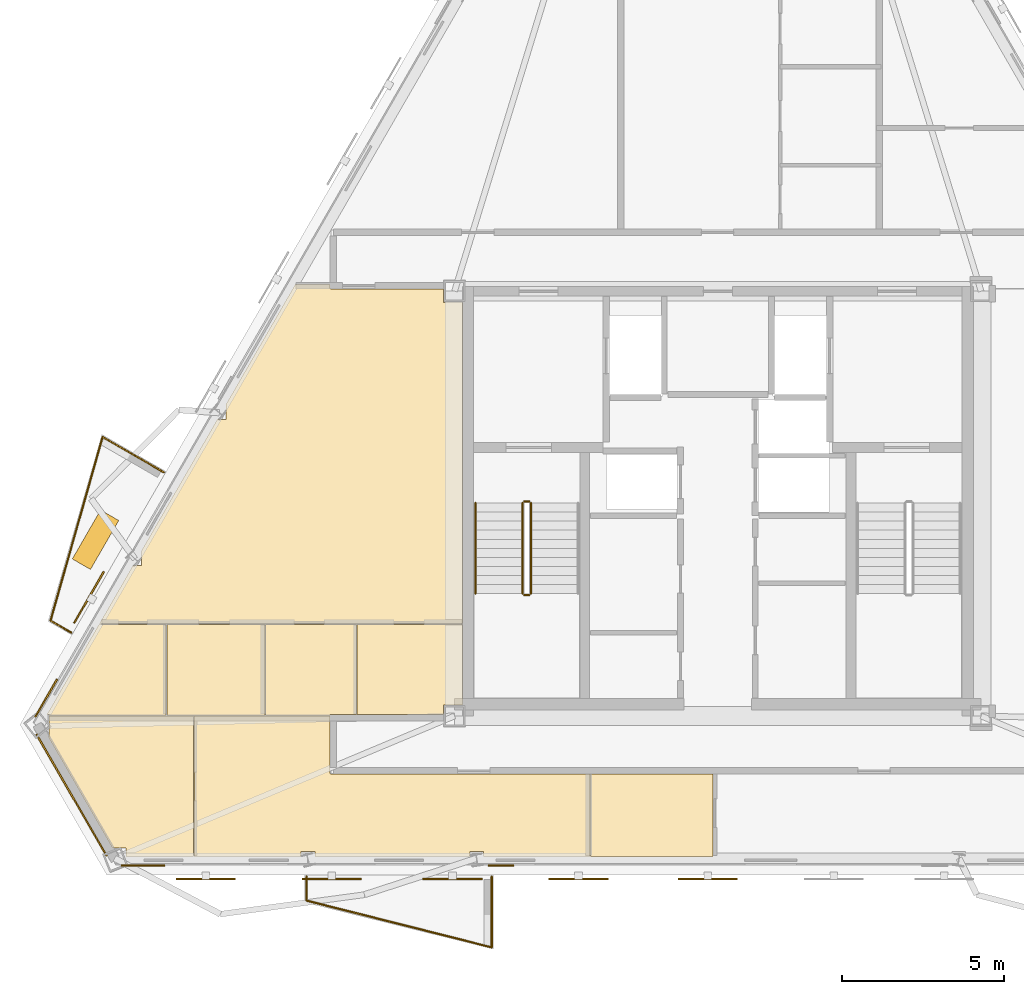
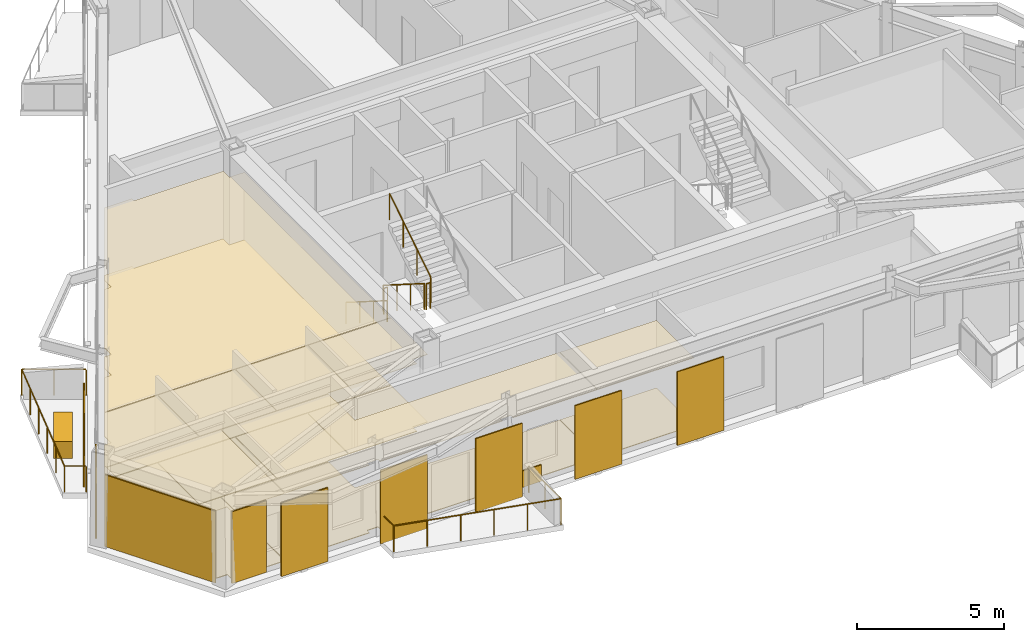
# One storey, part 7 of 9: 21 coverings, 11 railings, 6 shading devices.
"""IFC4 building model written with IfcOpenShell, lengths in metres."""

from ifc_helpers import new_model, si_unit, direction, frame, origin, origin_2d, place, context, subcontext, project, spatial, polyline, rectangle, circle, outline, extrude, material, layer, layer_set, type_object, element, save


model = new_model("IFC4")

# Units and contexts
model_context = context("Model", 3, precision=1e-05, world=origin(), true_north=direction((0.0, 1.0)))
body_context = subcontext(model_context, "Body", "Model", "MODEL_VIEW")
ifc_project = project(units=[si_unit("LENGTHUNIT", "METRE"), si_unit("AREAUNIT", "SQUARE_METRE"), si_unit("VOLUMEUNIT", "CUBIC_METRE"), si_unit("PLANEANGLEUNIT", "RADIAN"), si_unit("MASSUNIT", "GRAM", prefix="KILO")], contexts=[model_context])

# Site, building, storey
site_placement = place(None, origin())
site = spatial("IfcSite", under=ifc_project, at=site_placement, CompositionType="ELEMENT")
building_placement = place(site_placement, origin())
building = spatial("IfcBuilding", under=site, at=building_placement, Name="Oramaril Tower", CompositionType="ELEMENT")
storey_placement = place(building_placement, frame((0.0, 0.0, 269.39990234375)))
storey = spatial("IfcBuildingStorey", under=building, at=storey_placement, Name="L71", CompositionType="ELEMENT", Elevation=269.39990234375)

# Coverings
ifc_material_1 = material(Name="Mineral Fibre Acoustic Ceiling")
ifc_layer_1 = layer(ifc_material_1, 0.02001953125)
ifc_layer_set_1 = layer_set([ifc_layer_1], Name="CVT-CEIL")
covering_type_1 = type_object("IfcCoveringType", Name="CVT-CEIL", PredefinedType="CEILING", material=ifc_layer_set_1)
covering_1_placement = place(storey_placement, frame((0.0, 0.0, 2.81201171875)))
element("IfcCovering", 1, at=covering_1_placement, inside=storey, type_object=covering_type_1, Name="L71 Acoustic Suspended Ceiling 4", PredefinedType="CEILING", context=body_context, shape_type="SweptSolid", body=[
    extrude(outline(polyline([(33.5419921875, 6.642578125), (30.247314453125, 6.642578125), (30.247314453125, 6.800537109375), (29.824951171875, 6.800537109375), (29.824951171875, 6.642578125), (25.02587890625, 6.642578125), (25.02587890625, 6.800537109375), (24.596923828125, 6.800537109375), (24.596923828125, 6.642578125), (21.291015625, 6.642578125), (21.291015625, 10.991943359375), (25.5, 10.991943359375), (25.5, 9.219970703125), (25.5, 9.218017578125), (25.50048828125, 9.216064453125), (25.5009765625, 9.214111328125), (25.50146484375, 9.21240234375), (25.50244140625, 9.210693359375), (25.50341796875, 9.208984375), (25.50439453125, 9.207275390625), (25.505859375, 9.205810546875), (25.50732421875, 9.20458984375), (25.5087890625, 9.203369140625), (25.510498046875, 9.202392578125), (25.51220703125, 9.201416015625), (25.51416015625, 9.200927734375), (25.51611328125, 9.200439453125), (25.51806640625, 9.2001953125), (25.52001953125, 9.199951171875), (33.5419921875, 9.199951171875), (33.5419921875, 6.642578125)])), origin(), (0.0, 0.0, 1.0), 0.02001953125),
])
covering_2_placement = place(storey_placement, frame((0.0, 0.0, 2.81201171875)))
element("IfcCovering", 2, at=covering_2_placement, inside=storey, type_object=covering_type_1, Name="L71 Acoustic Suspended Ceiling 5", PredefinedType="CEILING", context=body_context, shape_type="SweptSolid", body=[
    extrude(outline(polyline([(19.172119140625, 6.642578125), (19.172119140625, 6.9140625), (18.7578125, 6.9140625), (16.7666015625, 10.363037109375), (16.787841796875, 10.363037109375), (16.787841796875, 10.991943359375), (21.27099609375, 10.991943359375), (21.27099609375, 6.642578125), (19.172119140625, 6.642578125)])), origin(), (0.0, 0.0, 1.0), 0.02001953125),
])
covering_3_placement = place(storey_placement, frame((0.0, 0.0, 2.81201171875)))
element("IfcCovering", 3, at=covering_3_placement, inside=storey, type_object=covering_type_1, Name="L71 Acoustic Suspended Ceiling 7", PredefinedType="CEILING", context=body_context, shape_type="SweptSolid", body=[
    extrude(outline(polyline([(33.56201171875, 6.642578125), (33.56201171875, 9.199951171875), (37.343994140625, 9.199951171875), (37.343994140625, 6.642578125), (33.56201171875, 6.642578125)])), origin(), (0.0, 0.0, 1.0), 0.02001953125),
])
covering_4_placement = place(storey_placement, frame((0.0, 0.0, 2.81201171875)))
element("IfcCovering", 4, at=covering_4_placement, inside=storey, type_object=covering_type_1, Name="L71 Acoustic Suspended Ceiling 8", PredefinedType="CEILING", context=body_context, shape_type="SweptSolid", body=[
    extrude(outline(polyline([(19.39208984375, 15.65087890625), (19.661865234375, 15.65087890625), (19.661865234375, 16.107421875), (19.65576171875, 16.107421875), (22.006103515625, 20.178466796875), (22.27587890625, 20.178466796875), (22.27587890625, 20.62939453125), (22.266357421875, 20.62939453125), (24.42138671875, 24.362060546875), (25.5, 24.362060546875), (25.5, 24.239990234375), (25.5, 24.238037109375), (25.50048828125, 24.236083984375), (25.5009765625, 24.234130859375), (25.50146484375, 24.232421875), (25.50244140625, 24.230712890625), (25.50341796875, 24.22900390625), (25.50439453125, 24.227294921875), (25.505859375, 24.225830078125), (25.50732421875, 24.224609375), (25.5087890625, 24.223388671875), (25.510498046875, 24.222412109375), (25.51220703125, 24.221435546875), (25.51416015625, 24.220947265625), (25.51611328125, 24.220458984375), (25.51806640625, 24.22021484375), (25.52001953125, 24.219970703125), (29.0048828125, 24.219970703125), (29.0048828125, 23.804931640625), (29.60009765625, 23.804931640625), (29.60009765625, 13.85791015625), (18.35693359375, 13.85791015625), (19.39208984375, 15.65087890625)])), origin(), (0.0, 0.0, 1.0), 0.02001953125),
])
covering_5_placement = place(storey_placement, frame((0.0, 0.0, 2.81201171875)))
element("IfcCovering", 5, at=covering_5_placement, inside=storey, type_object=covering_type_1, Name="L71 Acoustic Suspended Ceiling 9", PredefinedType="CEILING", context=body_context, shape_type="SweptSolid", body=[
    extrude(outline(polyline([(20.423828125, 11.011962890625), (16.787841796875, 11.011962890625), (16.787841796875, 11.052978515625), (16.737548828125, 11.052978515625), (18.34716796875, 13.8408203125), (18.347412109375, 13.84033203125), (18.349365234375, 13.839599609375), (18.35107421875, 13.8388671875), (18.35302734375, 13.83837890625), (18.35498046875, 13.838134765625), (18.35693359375, 13.837890625), (20.423828125, 13.837890625), (20.423828125, 11.011962890625)])), origin(), (0.0, 0.0, 1.0), 0.02001953125),
])
covering_6_placement = place(storey_placement, frame((0.0, 0.0, 2.81201171875)))
element("IfcCovering", 6, at=covering_6_placement, inside=storey, type_object=covering_type_1, Name="L71 Acoustic Suspended Ceiling 10", PredefinedType="CEILING", context=body_context, shape_type="SweptSolid", body=[
    extrude(outline(polyline([(23.473876953125, 11.011962890625), (21.291015625, 11.011962890625), (21.2890625, 11.011962890625), (21.287109375, 11.01171875), (21.28515625, 11.010986328125), (21.283203125, 11.010498046875), (21.281494140625, 11.009521484375), (21.281005859375, 11.00927734375), (21.280517578125, 11.009521484375), (21.27880859375, 11.010498046875), (21.27685546875, 11.010986328125), (21.27490234375, 11.01171875), (21.27294921875, 11.011962890625), (21.27099609375, 11.011962890625), (20.44384765625, 11.011962890625), (20.44384765625, 13.837890625), (23.473876953125, 13.837890625), (23.473876953125, 11.011962890625)])), origin(), (0.0, 0.0, 1.0), 0.02001953125),
])
covering_7_placement = place(storey_placement, frame((0.0, 0.0, 2.81201171875)))
element("IfcCovering", 7, at=covering_7_placement, inside=storey, type_object=covering_type_1, Name="L71 Acoustic Suspended Ceiling 11", PredefinedType="CEILING", context=body_context, shape_type="SweptSolid", body=[
    extrude(outline(polyline([(26.31591796875, 11.050048828125), (25.52001953125, 11.050048828125), (25.51806640625, 11.0498046875), (25.51611328125, 11.049560546875), (25.51416015625, 11.049072265625), (25.51220703125, 11.048583984375), (25.510498046875, 11.047607421875), (25.5087890625, 11.046630859375), (25.50732421875, 11.04541015625), (25.505859375, 11.044189453125), (25.50439453125, 11.042724609375), (25.50341796875, 11.041015625), (25.50244140625, 11.039306640625), (25.50146484375, 11.03759765625), (25.5009765625, 11.035888671875), (25.50048828125, 11.033935546875), (25.5, 11.031982421875), (25.5, 11.030029296875), (25.5, 11.011962890625), (23.493896484375, 11.011962890625), (23.493896484375, 13.837890625), (26.31591796875, 13.837890625), (26.31591796875, 11.050048828125)])), origin(), (0.0, 0.0, 1.0), 0.02001953125),
])
covering_8_placement = place(storey_placement, frame((0.0, 0.0, 2.81201171875)))
element("IfcCovering", 8, at=covering_8_placement, inside=storey, type_object=covering_type_1, Name="L71 Acoustic Suspended Ceiling 12", PredefinedType="CEILING", context=body_context, shape_type="SweptSolid", body=[
    extrude(outline(polyline([(29.60009765625, 11.344970703125), (29.0048828125, 11.344970703125), (29.0048828125, 11.050048828125), (26.335693359375, 11.050048828125), (26.335693359375, 13.837890625), (29.60009765625, 13.837890625), (29.60009765625, 11.344970703125)])), origin(), (0.0, 0.0, 1.0), 0.02001953125),
])
ifc_material_2 = material(Name="Warm Cream Limestone", Category="masonry")
ifc_layer_2 = layer(ifc_material_2, 0.050048828125)
ifc_layer_set_2 = layer_set([ifc_layer_2], Name="CVT-CLD")
covering_type_2 = type_object("IfcCoveringType", Name="CVT-CLD", PredefinedType="CLADDING", material=ifc_layer_set_2)
covering_9_placement = place(storey_placement, frame((17.49462890625, 8.5498046875, 0.0400390625), z_axis=(0.0, 0.0, 1.0), x_axis=(0.499992442484, -0.866029767075, 0.0)))
element("IfcCovering", 9, at=covering_9_placement, inside=storey, type_object=covering_type_2, Name="L71 Warm Cream Limestone Cladding", PredefinedType="CLADDING", context=body_context, shape_type="SweptSolid", body=[
    extrude(rectangle(XDim=4.347900390625, YDim=0.050048828125, at=origin_2d()), origin(), (0.0, 0.0, 1.0), 2.97802734375),
])
covering_10_placement = place(storey_placement, frame((19.7021484375, 6.36669921875, 0.0400390625), z_axis=(0.0, 0.0, 1.0), x_axis=(1.0, 0.0, 0.0)))
element("IfcCovering", 10, at=covering_10_placement, inside=storey, type_object=covering_type_2, Name="L71 Warm Cream Limestone Cladding", PredefinedType="CLADDING", context=body_context, shape_type="SweptSolid", body=[
    extrude(rectangle(XDim=1.35009765625, YDim=0.050048828125, at=origin_2d()), origin(), (0.0, 0.0, 1.0), 2.97802734375),
])
covering_11_placement = place(storey_placement, frame((30.786865234375, 6.36669921875, 0.0400390625), z_axis=(0.0, 0.0, 1.0), x_axis=(1.0, 0.0, 0.0)))
element("IfcCovering", 11, at=covering_11_placement, inside=storey, type_object=covering_type_2, Name="L71 Warm Cream Limestone Spandrel Cladding", PredefinedType="CLADDING", context=body_context, shape_type="SweptSolid", body=[
    extrude(rectangle(XDim=0.800048828125, YDim=0.050048828125, at=origin_2d()), origin(), (0.0, 0.0, 1.0), 0.679931640625),
])
covering_12_placement = place(storey_placement, frame((16.707763671875, 11.55322265625, 0.0400390625), z_axis=(0.0, 0.0, 1.0), x_axis=(-0.5, -0.866025403784, 0.0)))
element("IfcCovering", 12, at=covering_12_placement, inside=storey, type_object=covering_type_2, Name="L71 Warm Cream Limestone Cladding", PredefinedType="CLADDING", context=body_context, shape_type="SweptSolid", body=[
    extrude(rectangle(XDim=1.35009765625, YDim=0.050048828125, at=origin_2d()), origin(), (0.0, 0.0, 1.0), 2.97802734375),
])
covering_13_placement = place(storey_placement, frame((18.235107421875, 16.455810546875, 0.0), z_axis=(0.0, 0.0, 1.0), x_axis=(-0.5, -0.866025403784, 0.0)))
element("IfcCovering", 13, at=covering_13_placement, inside=storey, type_object=covering_type_2, Name="L71 Structural Tree Planter Box L71-BAL-NW2", PredefinedType="CLADDING", context=body_context, shape_type="SweptSolid", body=[
    extrude(rectangle(XDim=1.75, YDim=0.64990234375, at=origin_2d()), origin(), (0.0, 0.0, 1.0), 0.699951171875),
])
ifc_material_3 = material(Name="Honed Quartzite Stone Flooring", Category="masonry")
ifc_layer_3 = layer(ifc_material_3, 0.02490234375)
ifc_layer_set_3 = layer_set([ifc_layer_3], Name="CVT-FLR")
covering_type_3 = type_object("IfcCoveringType", Name="CVT-FLR", PredefinedType="FLOORING", material=ifc_layer_set_3)
covering_14_placement = place(storey_placement, origin())
element("IfcCovering", 14, at=covering_14_placement, inside=storey, type_object=covering_type_3, Name="L71 Honed Stone Floor Finish 4", PredefinedType="FLOORING", context=body_context, shape_type="SweptSolid", body=[
    extrude(outline(polyline([(33.5419921875, 6.642578125), (30.247314453125, 6.642578125), (30.247314453125, 6.800537109375), (29.824951171875, 6.800537109375), (29.824951171875, 6.642578125), (25.02587890625, 6.642578125), (25.02587890625, 6.800537109375), (24.596923828125, 6.800537109375), (24.596923828125, 6.642578125), (21.291015625, 6.642578125), (21.291015625, 10.991943359375), (25.5, 10.991943359375), (25.5, 9.219970703125), (25.5, 9.218017578125), (25.50048828125, 9.216064453125), (25.5009765625, 9.214111328125), (25.50146484375, 9.21240234375), (25.50244140625, 9.210693359375), (25.50341796875, 9.208984375), (25.50439453125, 9.207275390625), (25.505859375, 9.205810546875), (25.50732421875, 9.20458984375), (25.5087890625, 9.203369140625), (25.510498046875, 9.202392578125), (25.51220703125, 9.201416015625), (25.51416015625, 9.200927734375), (25.51611328125, 9.200439453125), (25.51806640625, 9.2001953125), (25.52001953125, 9.199951171875), (33.5419921875, 9.199951171875), (33.5419921875, 6.642578125)])), origin(), (0.0, 0.0, 1.0), 0.025146484375),
])
covering_15_placement = place(storey_placement, origin())
element("IfcCovering", 15, at=covering_15_placement, inside=storey, type_object=covering_type_3, Name="L71 Honed Stone Floor Finish 5", PredefinedType="FLOORING", context=body_context, shape_type="SweptSolid", body=[
    extrude(outline(polyline([(19.172119140625, 6.642578125), (19.172119140625, 6.9140625), (18.7578125, 6.9140625), (16.7666015625, 10.363037109375), (16.787841796875, 10.363037109375), (16.787841796875, 10.991943359375), (21.27099609375, 10.991943359375), (21.27099609375, 6.642578125), (19.172119140625, 6.642578125)])), origin(), (0.0, 0.0, 1.0), 0.025146484375),
])
covering_16_placement = place(storey_placement, origin())
element("IfcCovering", 16, at=covering_16_placement, inside=storey, type_object=covering_type_3, Name="L71 Honed Stone Floor Finish 7", PredefinedType="FLOORING", context=body_context, shape_type="SweptSolid", body=[
    extrude(outline(polyline([(33.56201171875, 6.642578125), (33.56201171875, 9.199951171875), (37.343994140625, 9.199951171875), (37.343994140625, 6.642578125), (33.56201171875, 6.642578125)])), origin(), (0.0, 0.0, 1.0), 0.025146484375),
])
covering_17_placement = place(storey_placement, origin())
element("IfcCovering", 17, at=covering_17_placement, inside=storey, type_object=covering_type_3, Name="L71 Honed Stone Floor Finish 8", PredefinedType="FLOORING", context=body_context, shape_type="SweptSolid", body=[
    extrude(outline(polyline([(19.39208984375, 15.65087890625), (19.661865234375, 15.65087890625), (19.661865234375, 16.107421875), (19.65576171875, 16.107421875), (22.006103515625, 20.178466796875), (22.27587890625, 20.178466796875), (22.27587890625, 20.62939453125), (22.266357421875, 20.62939453125), (24.42138671875, 24.362060546875), (25.5, 24.362060546875), (25.5, 24.239990234375), (25.5, 24.238037109375), (25.50048828125, 24.236083984375), (25.5009765625, 24.234130859375), (25.50146484375, 24.232421875), (25.50244140625, 24.230712890625), (25.50341796875, 24.22900390625), (25.50439453125, 24.227294921875), (25.505859375, 24.225830078125), (25.50732421875, 24.224609375), (25.5087890625, 24.223388671875), (25.510498046875, 24.222412109375), (25.51220703125, 24.221435546875), (25.51416015625, 24.220947265625), (25.51611328125, 24.220458984375), (25.51806640625, 24.22021484375), (25.52001953125, 24.219970703125), (29.0048828125, 24.219970703125), (29.0048828125, 23.804931640625), (29.60009765625, 23.804931640625), (29.60009765625, 13.85791015625), (18.35693359375, 13.85791015625), (19.39208984375, 15.65087890625)])), origin(), (0.0, 0.0, 1.0), 0.025146484375),
])
covering_18_placement = place(storey_placement, origin())
element("IfcCovering", 18, at=covering_18_placement, inside=storey, type_object=covering_type_3, Name="L71 Honed Stone Floor Finish 9", PredefinedType="FLOORING", context=body_context, shape_type="SweptSolid", body=[
    extrude(outline(polyline([(20.423828125, 11.011962890625), (16.787841796875, 11.011962890625), (16.787841796875, 11.052978515625), (16.737548828125, 11.052978515625), (18.34716796875, 13.8408203125), (18.347412109375, 13.84033203125), (18.349365234375, 13.839599609375), (18.35107421875, 13.8388671875), (18.35302734375, 13.83837890625), (18.35498046875, 13.838134765625), (18.35693359375, 13.837890625), (20.423828125, 13.837890625), (20.423828125, 11.011962890625)])), origin(), (0.0, 0.0, 1.0), 0.025146484375),
])
covering_19_placement = place(storey_placement, origin())
element("IfcCovering", 19, at=covering_19_placement, inside=storey, type_object=covering_type_3, Name="L71 Honed Stone Floor Finish 10", PredefinedType="FLOORING", context=body_context, shape_type="SweptSolid", body=[
    extrude(outline(polyline([(23.473876953125, 11.011962890625), (21.291015625, 11.011962890625), (21.2890625, 11.011962890625), (21.287109375, 11.01171875), (21.28515625, 11.010986328125), (21.283203125, 11.010498046875), (21.281494140625, 11.009521484375), (21.281005859375, 11.00927734375), (21.280517578125, 11.009521484375), (21.27880859375, 11.010498046875), (21.27685546875, 11.010986328125), (21.27490234375, 11.01171875), (21.27294921875, 11.011962890625), (21.27099609375, 11.011962890625), (20.44384765625, 11.011962890625), (20.44384765625, 13.837890625), (23.473876953125, 13.837890625), (23.473876953125, 11.011962890625)])), origin(), (0.0, 0.0, 1.0), 0.025146484375),
])
covering_20_placement = place(storey_placement, origin())
element("IfcCovering", 20, at=covering_20_placement, inside=storey, type_object=covering_type_3, Name="L71 Honed Stone Floor Finish 11", PredefinedType="FLOORING", context=body_context, shape_type="SweptSolid", body=[
    extrude(outline(polyline([(26.31591796875, 11.050048828125), (25.52001953125, 11.050048828125), (25.51806640625, 11.0498046875), (25.51611328125, 11.049560546875), (25.51416015625, 11.049072265625), (25.51220703125, 11.048583984375), (25.510498046875, 11.047607421875), (25.5087890625, 11.046630859375), (25.50732421875, 11.04541015625), (25.505859375, 11.044189453125), (25.50439453125, 11.042724609375), (25.50341796875, 11.041015625), (25.50244140625, 11.039306640625), (25.50146484375, 11.03759765625), (25.5009765625, 11.035888671875), (25.50048828125, 11.033935546875), (25.5, 11.031982421875), (25.5, 11.030029296875), (25.5, 11.011962890625), (23.493896484375, 11.011962890625), (23.493896484375, 13.837890625), (26.31591796875, 13.837890625), (26.31591796875, 11.050048828125)])), origin(), (0.0, 0.0, 1.0), 0.025146484375),
])
covering_21_placement = place(storey_placement, origin())
element("IfcCovering", 21, at=covering_21_placement, inside=storey, type_object=covering_type_3, Name="L71 Honed Stone Floor Finish 12", PredefinedType="FLOORING", context=body_context, shape_type="SweptSolid", body=[
    extrude(outline(polyline([(29.60009765625, 11.344970703125), (29.0048828125, 11.344970703125), (29.0048828125, 11.050048828125), (26.335693359375, 11.050048828125), (26.335693359375, 13.837890625), (29.60009765625, 13.837890625), (29.60009765625, 11.344970703125)])), origin(), (0.0, 0.0, 1.0), 0.025146484375),
])

# Railings
ifc_material_4 = material(Name="Stainless Steel 316L", Category="steel")
railing_type_1 = type_object("IfcRailingType", Name="RLT-GRD", PredefinedType="GUARDRAIL", material=ifc_material_4)
railing_1_placement = place(storey_placement, frame((30.50146484375, 6.026611328125, 0.0)))
element("IfcRailing", 22, at=railing_1_placement, inside=storey, type_object=railing_type_1, Name="L71 Balcony Guardrail L71-BAL-S1.1", PredefinedType="GUARDRAIL", context=body_context, shape_type="SweptSolid", body=[
    extrude(circle(Radius=0.02392578125, at=origin_2d()), frame((0.0, 0.0, 1.076171875), z_axis=(0.0, -1.0, 0.0), x_axis=(1.0, 0.0, 0.0)), (0.0, 0.0, 1.0), 2.19189453125),
    extrude(circle(Radius=0.02099609375, at=origin_2d()), origin(), (0.0, 0.0, 1.0), 1.052001953125),
    extrude(circle(Radius=0.02099609375, at=origin_2d()), frame((0.0, -1.095947265625, 0.0)), (0.0, 0.0, 1.0), 1.052001953125),
    extrude(circle(Radius=0.02099609375, at=origin_2d()), frame((0.0, -2.19189453125, 0.0)), (0.0, 0.0, 1.0), 1.052001953125),
])
railing_2_placement = place(storey_placement, frame((30.50146484375, 3.834716796875, 0.0)))
element("IfcRailing", 23, at=railing_2_placement, inside=storey, type_object=railing_type_1, Name="L71 Balcony Guardrail L71-BAL-S1.2", PredefinedType="GUARDRAIL", context=body_context, shape_type="SweptSolid", body=[
    extrude(circle(Radius=0.02392578125, at=origin_2d()), frame((0.0, 0.0, 1.076171875), z_axis=(-0.969443611257, 0.245314256807, 0.0), x_axis=(-0.245314256807, -0.969443611257, 0.0)), (0.0, 0.0, 1.0), 5.91064453125),
    extrude(circle(Radius=0.02099609375, at=origin_2d()), origin(), (0.0, 0.0, 1.0), 1.052001953125),
    extrude(circle(Radius=0.02099609375, at=origin_2d()), frame((-1.14599609375, 0.2900390625, 0.0)), (0.0, 0.0, 1.0), 1.052001953125),
    extrude(circle(Radius=0.02099609375, at=origin_2d()), frame((-2.2919921875, 0.580078125, 0.0)), (0.0, 0.0, 1.0), 1.052001953125),
    extrude(circle(Radius=0.02099609375, at=origin_2d()), frame((-3.43798828125, 0.869873046875, 0.0)), (0.0, 0.0, 1.0), 1.052001953125),
    extrude(circle(Radius=0.02099609375, at=origin_2d()), frame((-4.583984375, 1.159912109375, 0.0)), (0.0, 0.0, 1.0), 1.052001953125),
    extrude(circle(Radius=0.02099609375, at=origin_2d()), frame((-5.72998046875, 1.449951171875, 0.0)), (0.0, 0.0, 1.0), 1.052001953125),
])
railing_3_placement = place(storey_placement, frame((24.771484375, 5.28466796875, 0.0)))
element("IfcRailing", 24, at=railing_3_placement, inside=storey, type_object=railing_type_1, Name="L71 Balcony Guardrail L71-BAL-S1.3", PredefinedType="GUARDRAIL", context=body_context, shape_type="SweptSolid", body=[
    extrude(circle(Radius=0.02392578125, at=origin_2d()), frame((0.0, 0.0, 1.076171875), z_axis=(0.0, 1.0, 0.0), x_axis=(-1.0, 0.0, 0.0)), (0.0, 0.0, 1.0), 0.741943359375),
    extrude(circle(Radius=0.02099609375, at=origin_2d()), origin(), (0.0, 0.0, 1.0), 1.052001953125),
    extrude(circle(Radius=0.02099609375, at=origin_2d()), frame((0.0, 0.741943359375, 0.0)), (0.0, 0.0, 1.0), 1.052001953125),
])
railing_4_placement = place(storey_placement, frame((17.4853515625, 13.580322265625, 0.0)))
element("IfcRailing", 25, at=railing_4_placement, inside=storey, type_object=railing_type_1, Name="L71 Balcony Guardrail L71-BAL-NW2.1", PredefinedType="GUARDRAIL", context=body_context, shape_type="SweptSolid", body=[
    extrude(circle(Radius=0.02392578125, at=origin_2d()), frame((0.0, 0.0, 1.076171875), z_axis=(-0.865884080729, 0.500244698863, 0.0), x_axis=(-0.500244698863, -0.865884080729, 0.0)), (0.0, 0.0, 1.0), 0.741943359375),
    extrude(circle(Radius=0.02099609375, at=origin_2d()), origin(), (0.0, 0.0, 1.0), 1.052001953125),
    extrude(circle(Radius=0.02099609375, at=origin_2d()), frame((-0.642333984375, 0.37109375, 0.0)), (0.0, 0.0, 1.0), 1.052001953125),
])
railing_5_placement = place(storey_placement, frame((16.843017578125, 13.951416015625, 0.0)))
element("IfcRailing", 26, at=railing_5_placement, inside=storey, type_object=railing_type_1, Name="L71 Balcony Guardrail L71-BAL-NW2.2", PredefinedType="GUARDRAIL", context=body_context, shape_type="SweptSolid", body=[
    extrude(circle(Radius=0.02392578125, at=origin_2d()), frame((0.0, 0.0, 1.076171875), z_axis=(0.27224886544, 0.962226873074, 0.0), x_axis=(-0.962226873074, 0.27224886544, 0.0)), (0.0, 0.0, 1.0), 5.910400390625),
    extrude(circle(Radius=0.02099609375, at=origin_2d()), origin(), (0.0, 0.0, 1.0), 1.052001953125),
    extrude(circle(Radius=0.02099609375, at=origin_2d()), frame((0.32177734375, 1.137451171875, 0.0)), (0.0, 0.0, 1.0), 1.052001953125),
    extrude(circle(Radius=0.02099609375, at=origin_2d()), frame((0.6435546875, 2.27490234375, 0.0)), (0.0, 0.0, 1.0), 1.052001953125),
    extrude(circle(Radius=0.02099609375, at=origin_2d()), frame((0.965576171875, 3.412353515625, 0.0)), (0.0, 0.0, 1.0), 1.052001953125),
    extrude(circle(Radius=0.02099609375, at=origin_2d()), frame((1.287353515625, 4.5498046875, 0.0)), (0.0, 0.0, 1.0), 1.052001953125),
    extrude(circle(Radius=0.02099609375, at=origin_2d()), frame((1.609130859375, 5.687255859375, 0.0)), (0.0, 0.0, 1.0), 1.052001953125),
])
railing_6_placement = place(storey_placement, frame((18.4521484375, 19.638671875, 0.0)))
element("IfcRailing", 27, at=railing_6_placement, inside=storey, type_object=railing_type_1, Name="L71 Balcony Guardrail L71-BAL-NW2.3", PredefinedType="GUARDRAIL", context=body_context, shape_type="SweptSolid", body=[
    extrude(circle(Radius=0.02392578125, at=origin_2d()), frame((0.0, 0.0, 1.076171875), z_axis=(0.865972267571, -0.50009202333, 0.0), x_axis=(0.50009202333, 0.865972267571, 0.0)), (0.0, 0.0, 1.0), 2.19189453125),
    extrude(circle(Radius=0.02099609375, at=origin_2d()), origin(), (0.0, 0.0, 1.0), 1.052001953125),
    extrude(circle(Radius=0.02099609375, at=origin_2d()), frame((0.94921875, -0.548095703125, 0.0)), (0.0, 0.0, 1.0), 1.052001953125),
    extrude(circle(Radius=0.02099609375, at=origin_2d()), frame((1.898193359375, -1.09619140625, 0.0)), (0.0, 0.0, 1.0), 1.052001953125),
])
railing_7_placement = place(storey_placement, frame((31.4599609375, 17.590087890625, 0.177490234375)))
element("IfcRailing", 28, at=railing_7_placement, inside=storey, type_object=railing_type_1, Name="L71 ST-1 stair guard 1", PredefinedType="GUARDRAIL", context=body_context, shape_type="SweptSolid", body=[
    extrude(circle(Radius=0.02392578125, at=origin_2d()), frame((0.0, 0.0, 1.076171875), z_axis=(0.0, -0.844908973607, 0.534910110503), x_axis=(1.0, 0.0, 0.0)), (0.0, 0.0, 1.0), 3.31396484375),
    extrude(circle(Radius=0.02099609375, at=origin_2d()), origin(), (0.0, 0.0, 1.0), 1.052001953125),
    extrude(circle(Radius=0.02099609375, at=origin_2d()), frame((0.0, -0.933349609375, 0.5908203125)), (0.0, 0.0, 1.0), 1.052001953125),
    extrude(circle(Radius=0.02099609375, at=origin_2d()), frame((0.0, -1.86669921875, 1.181884765625)), (0.0, 0.0, 1.0), 1.052001953125),
    extrude(circle(Radius=0.02099609375, at=origin_2d()), frame((0.0, -2.800048828125, 1.772705078125)), (0.0, 0.0, 1.0), 1.052001953125),
])
railing_8_placement = place(storey_placement, frame((31.510009765625, 14.739990234375, 1.9501953125)))
element("IfcRailing", 29, at=railing_8_placement, inside=storey, type_object=railing_type_1, Name="L71 ST-1 stair guard 2", PredefinedType="GUARDRAIL", context=body_context, shape_type="SweptSolid", body=[
    extrude(circle(Radius=0.02392578125, at=origin_2d()), frame((0.0, 0.0, 1.076171875), z_axis=(1.0, 0.0, 0.0), x_axis=(0.0, 1.0, 0.0)), (0.0, 0.0, 1.0), 0.14990234375),
    extrude(circle(Radius=0.02099609375, at=origin_2d()), origin(), (0.0, 0.0, 1.0), 1.052001953125),
    extrude(circle(Radius=0.02099609375, at=origin_2d()), frame((0.14990234375, 0.0, 0.0)), (0.0, 0.0, 1.0), 1.052001953125),
])
railing_9_placement = place(storey_placement, frame((31.7099609375, 14.7900390625, 2.12744140625)))
element("IfcRailing", 30, at=railing_9_placement, inside=storey, type_object=railing_type_1, Name="L71 ST-1 stair guard 3", PredefinedType="GUARDRAIL", context=body_context, shape_type="SweptSolid", body=[
    extrude(circle(Radius=0.02392578125, at=origin_2d()), frame((0.0, 0.0, 1.076171875), z_axis=(0.0, 0.844908973607, 0.534910110503), x_axis=(-1.0, 0.0, 0.0)), (0.0, 0.0, 1.0), 3.31396484375),
    extrude(circle(Radius=0.02099609375, at=origin_2d()), origin(), (0.0, 0.0, 1.0), 1.052001953125),
    extrude(circle(Radius=0.02099609375, at=origin_2d()), frame((0.0, 0.933349609375, 0.5908203125)), (0.0, 0.0, 1.0), 1.052001953125),
    extrude(circle(Radius=0.02099609375, at=origin_2d()), frame((0.0, 1.86669921875, 1.181884765625)), (0.0, 0.0, 1.0), 1.052001953125),
    extrude(circle(Radius=0.02099609375, at=origin_2d()), frame((0.0, 2.800048828125, 1.772705078125)), (0.0, 0.0, 1.0), 1.052001953125),
])
railing_10_placement = place(storey_placement, frame((31.510009765625, 17.639892578125, 0.0)))
element("IfcRailing", 31, at=railing_10_placement, inside=storey, type_object=railing_type_1, Name="L71 ST-1 stair guard 4", PredefinedType="GUARDRAIL", context=body_context, shape_type="SweptSolid", body=[
    extrude(circle(Radius=0.02392578125, at=origin_2d()), frame((0.0, 0.0, 1.076171875), z_axis=(1.0, 0.0, 0.0), x_axis=(0.0, 1.0, 0.0)), (0.0, 0.0, 1.0), 0.14990234375),
    extrude(circle(Radius=0.02099609375, at=origin_2d()), origin(), (0.0, 0.0, 1.0), 1.052001953125),
    extrude(circle(Radius=0.02099609375, at=origin_2d()), frame((0.14990234375, 0.0, 0.0)), (0.0, 0.0, 1.0), 1.052001953125),
])
ifc_material_5 = material(Name="Stainless Steel 316L", Category="steel")
railing_type_2 = type_object("IfcRailingType", Name="RLT-HND", PredefinedType="HANDRAIL", material=ifc_material_5)
railing_11_placement = place(storey_placement, frame((30.0, 17.590087890625, 0.177490234375)))
element("IfcRailing", 32, at=railing_11_placement, inside=storey, type_object=railing_type_2, Name="L71 ST-1 stair handrail 1", PredefinedType="HANDRAIL", context=body_context, shape_type="SweptSolid", body=[
    extrude(circle(Radius=0.02392578125, at=origin_2d()), frame((0.0, 0.0, 0.8759765625), z_axis=(0.0, -0.844908973607, 0.534910110503), x_axis=(1.0, 0.0, 0.0)), (0.0, 0.0, 1.0), 3.31396484375),
    extrude(circle(Radius=0.02099609375, at=origin_2d()), origin(), (0.0, 0.0, 1.0), 0.851806640625),
    extrude(circle(Radius=0.02099609375, at=origin_2d()), frame((0.0, -0.933349609375, 0.5908203125)), (0.0, 0.0, 1.0), 0.851806640625),
    extrude(circle(Radius=0.02099609375, at=origin_2d()), frame((0.0, -1.86669921875, 1.181884765625)), (0.0, 0.0, 1.0), 0.851806640625),
    extrude(circle(Radius=0.02099609375, at=origin_2d()), frame((0.0, -2.800048828125, 1.772705078125)), (0.0, 0.0, 1.0), 0.851806640625),
])

# Shading devices
for number, where, z_axis, x_axis, name in (
    (33, (21.648681640625, 5.95458984375, -0.02001953125), (0.0, 0.0, 1.0), (1.0, 0.0, 0.0), "L71 Perforated Ceramic Solar Screen"),
    (34, (25.548583984375, 5.95458984375, -0.02001953125), (0.0, 0.0, 1.0), (1.0, 0.0, 0.0), "L71 Perforated Ceramic Solar Screen"),
    (35, (29.2841796875, 5.95458984375, -0.02001953125), (0.0, 0.0, 1.0), (1.0, 0.0, 0.0), "L71 Perforated Ceramic Solar Screen"),
    (36, (33.184326171875, 5.95458984375, -0.02001953125), (0.0, 0.0, 1.0), (1.0, 0.0, 0.0), "L71 Perforated Ceramic Solar Screen"),
    (37, (37.19091796875, 5.95458984375, -0.02001953125), (0.0, 0.0, 1.0), (1.0, 0.0, 0.0), "L71 Perforated Ceramic Solar Screen"),
    (38, (18.031982421875, 14.6708984375, -0.02001953125), (0.0, 0.0, 1.0), (-0.5, -0.866025403784, 0.0), "L71 Perforated Ceramic Solar Screen"),
):
    element("IfcShadingDevice", number, at=place(storey_placement, frame(where, z_axis=z_axis, x_axis=x_axis)), inside=storey, Name=name, ObjectType="SCREEN", PredefinedType="USERDEFINED", context=body_context, shape_type="SweptSolid", body=[
        extrude(rectangle(XDim=1.8330078125, YDim=0.050048828125, at=origin_2d()), origin(), (0.0, 0.0, 1.0), 3.05810546875),
    ])

save(model, "model.ifc")
